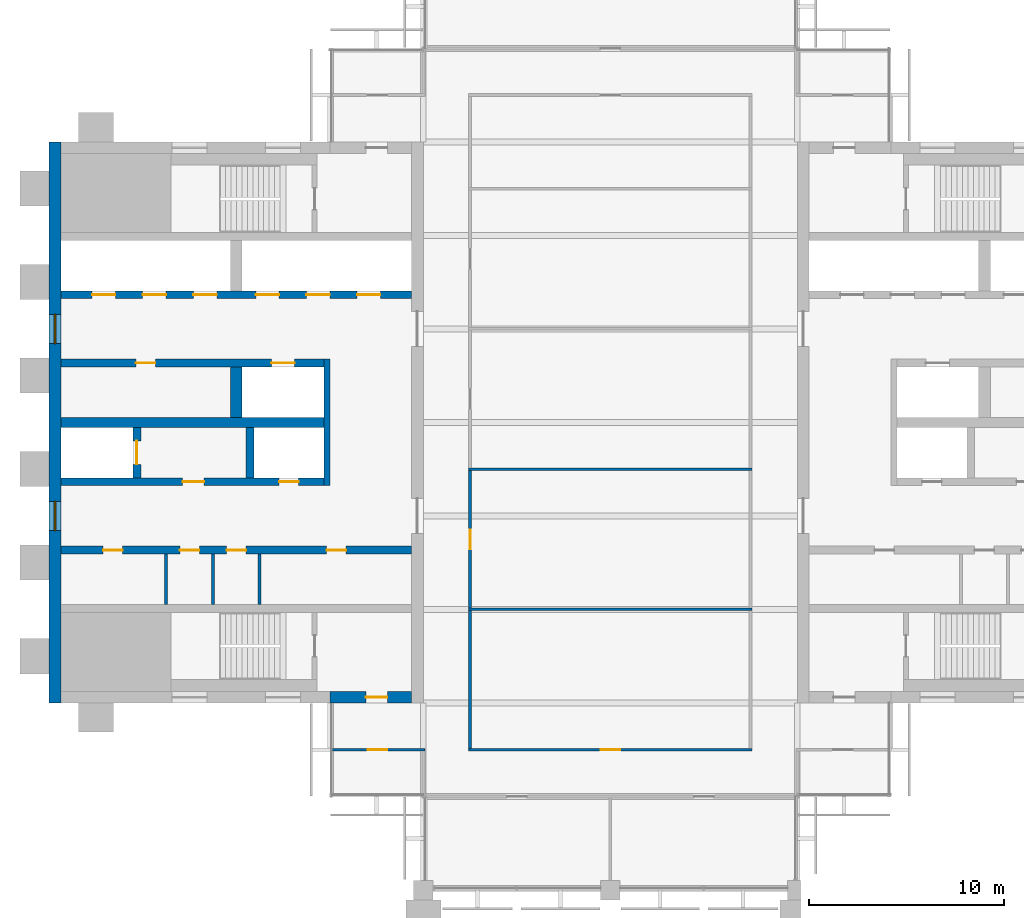
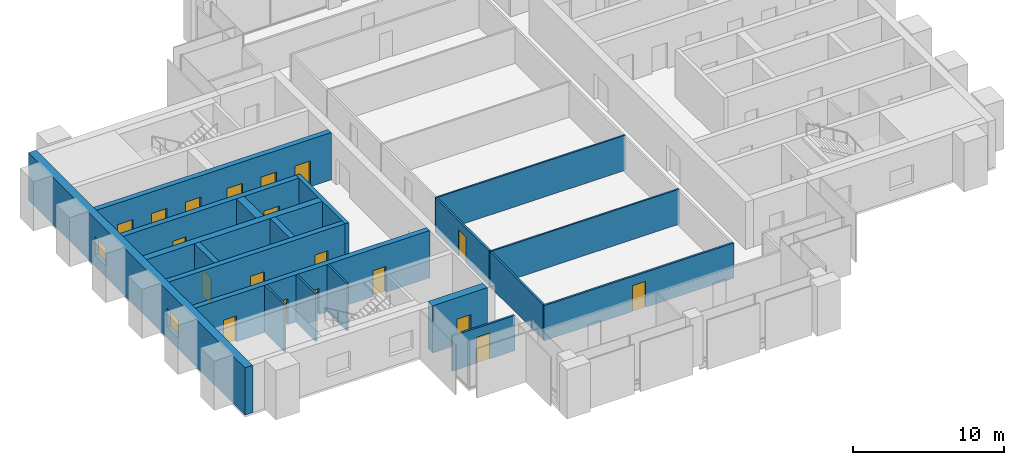
# One storey, part 8 of 12: 20 walls, 19 doors, 2 windows, 21 openings.
"""IFC4 building model written with IfcOpenShell, lengths in metres."""

import ifcopenshell
import ifcopenshell.guid

model = None  # the IFC model being written
_history = None  # IfcOwnerHistory: only IFC2X3 demands one
_inside = {}  # id of a spatial element -> (the spatial element, [elements in it])
_under = {}  # id of a project, library or spatial element -> (it, [spatial elements below it])
_declared = {}  # id of a project -> (the project, [libraries it declares])
_typed = {}  # id of a type object -> (the type object, [elements of that type])
_made_of = {}  # id of a material, layer set ... -> (it, [elements and type objects made of it])


def new_model(schema):
    """Start an empty IFC model of exactly this schema.

    Asked for "IFC4X3", IfcOpenShell would pick the latest addendum, in which some entities
    have other attributes; the version numbers below select the first issue.
    IFC2X3 requires an IfcOwnerHistory on every rooted entity: one is made here for all.
    """
    global model, _history
    if schema == "IFC4X3":
        model = ifcopenshell.file(schema_version=(4, 3, 0, 0))
    else:
        model = ifcopenshell.file(schema=schema)
    _inside.clear()
    _under.clear()
    _declared.clear()
    _typed.clear()
    _made_of.clear()
    _history = None
    if model.schema == "IFC2X3":
        org = make("IfcOrganization", Name="unknown")
        user = make(
            "IfcPersonAndOrganization",
            ThePerson=make("IfcPerson", FamilyName="unknown"),
            TheOrganization=org,
        )
        app = make(
            "IfcApplication",
            ApplicationDeveloper=org,
            Version="unknown",
            ApplicationFullName="unknown",
            ApplicationIdentifier="unknown",
        )
        _history = make(
            "IfcOwnerHistory",
            OwningUser=user,
            OwningApplication=app,
            ChangeAction="ADDED",
            CreationDate=0,
        )
    return model


def make(cls, **values):
    """One entity of the class cls with the attributes given. An attribute that is None is left unset."""
    return model.create_entity(
        cls, **{name: value for name, value in values.items() if value is not None}
    )


def rooted(cls, **values):
    """An entity with a GlobalId (a new one), such as an element, a storey or a relation."""
    return make(cls, GlobalId=ifcopenshell.guid.new(), OwnerHistory=_history, **values)


def si_unit(unit_type, name, prefix=None):
    """IfcSIUnit, for example si_unit("LENGTHUNIT", "METRE", prefix="MILLI")."""
    return make("IfcSIUnit", UnitType=unit_type, Prefix=prefix, Name=name)


def assignment(units):
    """IfcUnitAssignment: the units of a project."""
    return None if units is None else make("IfcUnitAssignment", Units=units)


def point(xyz):
    """IfcCartesianPoint."""
    return None if xyz is None else make("IfcCartesianPoint", Coordinates=xyz)


def direction(xyz):
    """IfcDirection."""
    return None if xyz is None else make("IfcDirection", DirectionRatios=xyz)


def frame(location, z_axis=None, x_axis=None):
    """IfcAxis2Placement3D, a coordinate frame: its origin and axes. An axis left out is left unset."""
    return make(
        "IfcAxis2Placement3D",
        Location=point(location),
        Axis=direction(z_axis),
        RefDirection=direction(x_axis),
    )


def frame_2d(location, x_axis=None):
    """IfcAxis2Placement2D, a coordinate frame in the plane: its origin and x axis."""
    return make(
        "IfcAxis2Placement2D", Location=point(location), RefDirection=direction(x_axis)
    )


def origin():
    """The frame at (0, 0, 0) with its axes left unset."""
    return frame((0.0, 0.0, 0.0))


def place(relative_to, where):
    """IfcLocalPlacement: puts the frame where relative to a parent placement (None: the world)."""
    return make(
        "IfcLocalPlacement", PlacementRelTo=relative_to, RelativePlacement=where
    )


def context(
    kind, dimensions, precision=None, world=None, true_north=None, identifier=None
):
    """IfcGeometricRepresentationContext, for example the 3D "Model" context."""
    return make(
        "IfcGeometricRepresentationContext",
        ContextIdentifier=identifier,
        ContextType=kind,
        CoordinateSpaceDimension=dimensions,
        Precision=precision,
        WorldCoordinateSystem=world,
        TrueNorth=true_north,
    )


def subcontext(parent, identifier, kind, view, scale=None):
    """IfcGeometricRepresentationSubContext, for example "Body" below "Model"."""
    return make(
        "IfcGeometricRepresentationSubContext",
        ContextIdentifier=identifier,
        ContextType=kind,
        ParentContext=parent,
        TargetScale=scale,
        TargetView=view,
    )


def project(units=None, contexts=None):
    """IfcProject with its units and contexts."""
    return rooted(
        "IfcProject",
        Name="project",
        RepresentationContexts=contexts,
        UnitsInContext=assignment(units),
    )


def spatial(cls, under=None, at=None, **own):
    """A site, building, storey or space (cls), placed at a placement, below another one or the project."""
    s = rooted(cls, ObjectPlacement=at, **own)
    if under is not None:
        _under.setdefault(under.id(), (under, []))[1].append(s)
    return s


def profile(cls, at=None, kind="AREA", **sizes):
    """A parametric profile (cls). Its sizes go by their IFC names, for example OverallWidth=200.0."""
    return make(cls, ProfileType=kind, Position=at, **sizes)


def rectangle(**sizes):
    """IfcRectangleProfileDef."""
    return profile("IfcRectangleProfileDef", **sizes)


def extrude(swept, where, along, depth):
    """IfcExtrudedAreaSolid: the profile swept, set in the frame where, extruded along a direction by depth."""
    return make(
        "IfcExtrudedAreaSolid",
        SweptArea=swept,
        Position=where,
        ExtrudedDirection=direction(along),
        Depth=depth,
    )


def shape(context_of_items, identifier, shape_type, items):
    """IfcShapeRepresentation: the items that make up one representation, for example the "Body"."""
    return make(
        "IfcShapeRepresentation",
        ContextOfItems=context_of_items,
        RepresentationIdentifier=identifier,
        RepresentationType=shape_type,
        Items=items,
    )


def material(Name=None, Category=None):
    """IfcMaterial."""
    return make("IfcMaterial", Name=Name, Category=Category)


def layer(
    of_material, thickness, ventilated=None, Name=None, Category=None, Priority=None
):
    """IfcMaterialLayer: one layer of a wall or slab, of a material (None: an air gap)."""
    return make(
        "IfcMaterialLayer",
        Material=of_material,
        LayerThickness=thickness,
        IsVentilated=ventilated,
        Name=Name,
        Category=Category,
        Priority=Priority,
    )


def layer_set(layers, Name=None):
    """IfcMaterialLayerSet."""
    return make("IfcMaterialLayerSet", MaterialLayers=layers, LayerSetName=Name)


def made_of(thing, what):
    """Note that an element or type object is made of a material, layer set ...; save() writes the relation."""
    if what is not None:
        _made_of.setdefault(what.id(), (what, []))[1].append(thing)
    return thing


def type_object(cls, material=None, **own):
    """A type object (cls), such as IfcWallType, which elements share."""
    return made_of(rooted(cls, **own), material)


def element(
    cls,
    number,
    at=None,
    inside=None,
    cuts=None,
    type_object=None,
    material=None,
    context=None,
    identifier="Body",
    shape_type=None,
    held_by="IfcProductDefinitionShape",
    body=None,
    shapes=None,
    **own,
):
    """One element of the class cls, such as IfcWall. Its Tag is "e" and its number.

    at: its placement. inside: the storey or other place that contains it. cuts: it is an
    opening in that element (IfcRelVoidsElement). A single representation is given by context,
    identifier, shape_type and body (its items); several are given by shapes. held_by: the class
    of the entity that holds the representations. save() writes the other relations.
    """
    e = rooted(cls, Tag="e%d" % number, ObjectPlacement=at, **own)
    if body is not None:
        shapes = [shape(context, identifier, shape_type, body)]
    if shapes is not None:
        e.Representation = make(held_by, Representations=shapes)
    if inside is not None:
        _inside.setdefault(inside.id(), (inside, []))[1].append(e)
    if cuts is not None:
        rooted(
            "IfcRelVoidsElement", RelatingBuildingElement=cuts, RelatedOpeningElement=e
        )
    if type_object is not None:
        _typed.setdefault(type_object.id(), (type_object, []))[1].append(e)
    return made_of(e, material)


def fill(opening, filler):
    """IfcRelFillsElement: the door or window that sits in an opening."""
    return rooted(
        "IfcRelFillsElement",
        RelatingOpeningElement=opening,
        RelatedBuildingElement=filler,
    )


def aggregate(whole, parts):
    """IfcRelAggregates: a whole, such as a stair, and the parts it consists of."""
    return rooted("IfcRelAggregates", RelatingObject=whole, RelatedObjects=parts)


def save(model, path):
    """Write the relations noted so far, then the file.

    IfcRelAggregates (storeys below a building ...), IfcRelContainedInSpatialStructure (elements
    in a storey), IfcRelDefinesByType, IfcRelAssociatesMaterial and IfcRelDeclares: one each for
    every whole, place, type object, material and project.
    """
    for whole, parts in _under.values():
        aggregate(whole, parts)
    for where, things in _inside.values():
        rooted(
            "IfcRelContainedInSpatialStructure",
            RelatedElements=things,
            RelatingStructure=where,
        )
    for kind, things in _typed.values():
        rooted("IfcRelDefinesByType", RelatedObjects=things, RelatingType=kind)
    for what, things in _made_of.values():
        rooted("IfcRelAssociatesMaterial", RelatedObjects=things, RelatingMaterial=what)
    for by, libraries in _declared.values():
        rooted("IfcRelDeclares", RelatingContext=by, RelatedDefinitions=libraries)
    model.write(path)


model = new_model("IFC4")

# Units and contexts
model_context = context("Model", 3, precision=1e-05, world=origin(), true_north=direction((0.0, 1.0)))
body_context = subcontext(model_context, "Body", "Model", "MODEL_VIEW")
ifc_project = project(units=[si_unit("LENGTHUNIT", "METRE"), si_unit("AREAUNIT", "SQUARE_METRE"), si_unit("VOLUMEUNIT", "CUBIC_METRE"), si_unit("PLANEANGLEUNIT", "RADIAN"), si_unit("MASSUNIT", "GRAM", prefix="KILO")], contexts=[model_context])

# Site, building, storey
site_placement = place(None, origin())
site = spatial("IfcSite", under=ifc_project, at=site_placement, CompositionType="ELEMENT")
building_placement = place(site_placement, origin())
building = spatial("IfcBuilding", under=site, at=building_placement, Name="Baori Bourse Tower", CompositionType="ELEMENT")
storey_placement = place(building_placement, frame((0.0, 0.0, 322.300048828125)))
storey = spatial("IfcBuildingStorey", under=building, at=storey_placement, Name="L71", CompositionType="ELEMENT", Elevation=322.300048828125)

# Walls
ifc_material_1 = material(Name="Blockwork partition", Category="masonry")
ifc_layer_1 = layer(ifc_material_1, 0.14990234375)
ifc_layer_set_1 = layer_set([ifc_layer_1], Name="Core partition 150")
wall_type_1 = type_object("IfcWallType", Name="Core partition 150", PredefinedType="PARTITIONING", material=ifc_layer_set_1)
for number, where, z_axis, x_axis, name in (
    (1, (6.0, 14.64990234375, 0.0), (0.0, 0.0, 1.0), (0.0, 1.0, 0.0), "Partition wall W09"),
    (2, (8.39990234375, 14.64990234375, 0.0), (0.0, 0.0, 1.0), (0.0, 1.0, 0.0), "Partition wall W10"),
    (3, (10.800048828125, 14.64990234375, 0.0), (0.0, 0.0, 1.0), (0.0, 1.0, 0.0), "Partition wall W11"),
):
    element("IfcWall", number, at=place(storey_placement, frame(where, z_axis=z_axis, x_axis=x_axis)), inside=storey, type_object=wall_type_1, Name=name, PredefinedType="PARTITIONING", context=body_context, shape_type="SweptSolid", body=[
        extrude(rectangle(XDim=2.60009765625, YDim=0.14990234375, at=frame_2d((1.300048828125, 0.0))), origin(), (0.0, 0.0, 1.0), 3.83984375),
    ])

# Wall, openings, windows
ifc_material_2 = material(Name="Concrete f'c 40 MPa", Category="concrete")
ifc_layer_2 = layer(ifc_material_2, 0.60009765625)
ifc_layer_set_2 = layer_set([ifc_layer_2], Name="Core wall 600 f'c 40")
wall_type_2 = type_object("IfcWallType", Name="Core wall 600 f'c 40", PredefinedType="SHEAR", material=ifc_layer_set_2)
wall_1_placement = place(storey_placement, frame((0.300048828125, 9.60009765625, 0.0), z_axis=(0.0, 0.0, 1.0), x_axis=(0.0, 1.0, 0.0)))
wall_1 = element("IfcWall", 4, at=wall_1_placement, inside=storey, type_object=wall_type_2, Name="Core wall W01", PredefinedType="SHEAR", context=body_context, shape_type="SweptSolid", body=[
    extrude(rectangle(XDim=28.7998046875, YDim=0.60009765625, at=frame_2d((14.39990234375, 0.0))), origin(), (0.0, 0.0, 1.0), 3.83984375),
])
opening_1_placement = place(wall_1_placement, frame((8.85009765625, 0.0, 0.89990234375)))
opening_1 = element("IfcOpeningElement", 5, at=opening_1_placement, cuts=wall_1, Name="Opening L71-KW101", PredefinedType="OPENING", context=body_context, shape_type="SweptSolid", body=[
    extrude(rectangle(XDim=1.5, YDim=1.5, at=frame_2d((0.75, 0.75))), frame((0.0, 0.31005859375, 0.0), z_axis=(0.0, -1.0, 0.0), x_axis=(1.0, 0.0, 0.0)), (0.0, 0.0, 1.0), 0.6201171875),
])
opening_2_placement = place(wall_1_placement, frame((18.449951171875, 0.0, 0.89990234375)))
opening_2 = element("IfcOpeningElement", 6, at=opening_2_placement, cuts=wall_1, Name="Opening L71-KW102", PredefinedType="OPENING", context=body_context, shape_type="SweptSolid", body=[
    extrude(rectangle(XDim=1.5, YDim=1.5, at=frame_2d((0.75, 0.75))), frame((0.0, 0.31005859375, 0.0), z_axis=(0.0, -1.0, 0.0), x_axis=(1.0, 0.0, 0.0)), (0.0, 0.0, 1.0), 0.6201171875),
])
ifc_material_3 = material(Name="Pale anodised aluminium", Category="aluminium")
window_type = type_object("IfcWindowType", Name="Lobby window 1500 x 1500", PartitioningType="SINGLE_PANEL", PredefinedType="WINDOW", material=ifc_material_3)
window_1_placement = place(opening_1_placement, origin())
window_1 = element("IfcWindow", 7, at=window_1_placement, inside=storey, type_object=window_type, Name="Outer wall window W L71 1", OverallHeight=1.5, OverallWidth=1.5, PartitioningType="SINGLE_PANEL", PredefinedType="WINDOW", context=body_context, shape_type="SweptSolid", body=[
    extrude(rectangle(XDim=1.5, YDim=1.5, at=frame_2d((0.75, 0.75))), frame((0.0, 0.030029296875, 0.0), z_axis=(0.0, -1.0, 0.0), x_axis=(1.0, 0.0, 0.0)), (0.0, 0.0, 1.0), 0.06005859375),
])
fill(opening_1, window_1)
window_2_placement = place(opening_2_placement, origin())
window_2 = element("IfcWindow", 8, at=window_2_placement, inside=storey, type_object=window_type, Name="Outer wall window W L71 2", OverallHeight=1.5, OverallWidth=1.5, PartitioningType="SINGLE_PANEL", PredefinedType="WINDOW", context=body_context, shape_type="SweptSolid", body=[
    extrude(rectangle(XDim=1.5, YDim=1.5, at=frame_2d((0.75, 0.75))), frame((0.0, 0.030029296875, 0.0), z_axis=(0.0, -1.0, 0.0), x_axis=(1.0, 0.0, 0.0)), (0.0, 0.0, 1.0), 0.06005859375),
])
fill(opening_2, window_2)

# Wall, opening, door
wall_2_placement = place(storey_placement, frame((18.60009765625, 9.89990234375, 0.0), z_axis=(0.0, 0.0, 1.0), x_axis=(-1.0, 0.0, 0.0)))
wall_2 = element("IfcWall", 9, at=wall_2_placement, inside=storey, type_object=wall_type_2, Name="Core wall W03", PredefinedType="SHEAR", context=body_context, shape_type="SweptSolid", body=[
    extrude(rectangle(XDim=4.2001953125, YDim=0.60009765625, at=frame_2d((2.10009765625, 0.0))), origin(), (0.0, 0.0, 1.0), 3.83984375),
])
opening_3_placement = place(wall_2_placement, frame((1.25, 0.0, 0.0)))
opening_3 = element("IfcOpeningElement", 10, at=opening_3_placement, cuts=wall_2, Name="Opening L71-D102", PredefinedType="OPENING", context=body_context, shape_type="SweptSolid", body=[
    extrude(rectangle(XDim=1.10009765625, YDim=2.10009765625, at=frame_2d((0.550048828125, 1.050048828125))), frame((0.0, 0.31005859375, 0.0), z_axis=(0.0, -1.0, 0.0), x_axis=(1.0, 0.0, 0.0)), (0.0, 0.0, 1.0), 0.6201171875),
])
ifc_material_4 = material(Name="Painted steel door", Category="steel")
door_type_1 = type_object("IfcDoorType", Name="Stair door 1100", OperationType="SINGLE_SWING_LEFT", PredefinedType="DOOR", material=ifc_material_4)
door_1_placement = place(opening_3_placement, origin())
door_1 = element("IfcDoor", 11, at=door_1_placement, inside=storey, type_object=door_type_1, Name="Stair vestibule door A W L71", OperationType="SINGLE_SWING_LEFT", OverallHeight=2.10009765625, OverallWidth=1.10009765625, PredefinedType="DOOR", context=body_context, shape_type="SweptSolid", body=[
    extrude(rectangle(XDim=1.10009765625, YDim=2.10009765625, at=frame_2d((0.550048828125, 1.050048828125))), frame((0.0, 0.02490234375, 0.0), z_axis=(0.0, -1.0, 0.0), x_axis=(1.0, 0.0, 0.0)), (0.0, 0.0, 1.0), 0.050048828125),
])
fill(opening_3, door_1)

ifc_material_5 = material(Name="Gypsum board partition")
ifc_layer_3 = layer(ifc_material_5, 0.14990234375)
ifc_layer_set_3 = layer_set([ifc_layer_3], Name="Corridor partition 150")
wall_type_3 = type_object("IfcWallType", Name="Corridor partition 150", PredefinedType="PARTITIONING", material=ifc_layer_set_3)
wall_3_placement = place(storey_placement, frame((14.5, 7.199951171875, 0.0), z_axis=(0.0, 0.0, 1.0), x_axis=(1.0, 0.0, 0.0)))
wall_3 = element("IfcWall", 12, at=wall_3_placement, inside=storey, type_object=wall_type_3, Name="Partition", PredefinedType="PARTITIONING", context=body_context, shape_type="SweptSolid", body=[
    extrude(rectangle(XDim=4.77490234375, YDim=0.14990234375, at=frame_2d((2.387451171875, 0.0))), origin(), (0.0, 0.0, 1.0), 2.849365234375),
])
opening_4_placement = place(wall_3_placement, frame((1.85009765625, 0.0, 0.0)))
opening_4 = element("IfcOpeningElement", 13, at=opening_4_placement, cuts=wall_3, Name="Opening L71-D03", PredefinedType="OPENING", context=body_context, shape_type="SweptSolid", body=[
    extrude(rectangle(XDim=1.0, YDim=2.10009765625, at=frame_2d((0.5, 1.050048828125))), frame((0.0, 0.0849609375, 0.0), z_axis=(0.0, -1.0, 0.0), x_axis=(1.0, 0.0, 0.0)), (0.0, 0.0, 1.0), 0.169921875),
])
ifc_material_6 = material(Name="Timber door leaf", Category="wood")
door_type_2 = type_object("IfcDoorType", Name="Door 1000 x 2100", OperationType="SINGLE_SWING_LEFT", PredefinedType="DOOR", material=ifc_material_6)
door_2_placement = place(opening_4_placement, origin())
door_2 = element("IfcDoor", 14, at=door_2_placement, inside=storey, type_object=door_type_2, Name="Door", OperationType="SINGLE_SWING_LEFT", OverallHeight=2.10009765625, OverallWidth=1.0, PredefinedType="DOOR", context=body_context, shape_type="SweptSolid", body=[
    extrude(rectangle(XDim=1.0, YDim=2.10009765625, at=frame_2d((0.5, 1.050048828125))), frame((0.0, 0.02490234375, 0.0), z_axis=(0.0, -1.0, 0.0), x_axis=(1.0, 0.0, 0.0)), (0.0, 0.0, 1.0), 0.050048828125),
])
fill(opening_4, door_2)

wall_4_placement = place(storey_placement, frame((21.52490234375, 7.199951171875, 0.0), z_axis=(0.0, 0.0, 1.0), x_axis=(1.0, 0.0, 0.0)))
wall_4 = element("IfcWall", 15, at=wall_4_placement, inside=storey, type_object=wall_type_3, Name="Partition", PredefinedType="PARTITIONING", context=body_context, shape_type="SweptSolid", body=[
    extrude(rectangle(XDim=14.550048828125, YDim=0.14990234375, at=frame_2d((7.27490234375, 0.0))), origin(), (0.0, 0.0, 1.0), 2.849365234375),
])
opening_5_placement = place(wall_4_placement, frame((6.77490234375, 0.0, 0.0)))
opening_5 = element("IfcOpeningElement", 16, at=opening_5_placement, cuts=wall_4, Name="Opening L71-D04", PredefinedType="OPENING", context=body_context, shape_type="SweptSolid", body=[
    extrude(rectangle(XDim=1.0, YDim=2.10009765625, at=frame_2d((0.5, 1.050048828125))), frame((0.0, 0.0849609375, 0.0), z_axis=(0.0, -1.0, 0.0), x_axis=(1.0, 0.0, 0.0)), (0.0, 0.0, 1.0), 0.169921875),
])
door_3_placement = place(opening_5_placement, origin())
door_3 = element("IfcDoor", 17, at=door_3_placement, inside=storey, type_object=door_type_2, Name="Door", OperationType="SINGLE_SWING_RIGHT", OverallHeight=2.10009765625, OverallWidth=1.0, PredefinedType="DOOR", context=body_context, shape_type="SweptSolid", body=[
    extrude(rectangle(XDim=1.0, YDim=2.10009765625, at=frame_2d((0.5, 1.050048828125))), frame((0.0, 0.02490234375, 0.0), z_axis=(0.0, -1.0, 0.0), x_axis=(1.0, 0.0, 0.0)), (0.0, 0.0, 1.0), 0.050048828125),
])
fill(opening_5, door_3)

# Wall
wall_5_placement = place(storey_placement, frame((21.60009765625, 7.27490234375, 0.0), z_axis=(0.0, 0.0, 1.0), x_axis=(0.0, 1.0, 0.0)))
element("IfcWall", 18, at=wall_5_placement, inside=storey, type_object=wall_type_3, Name="Partition", PredefinedType="PARTITIONING", context=body_context, shape_type="SweptSolid", body=[
    extrude(rectangle(XDim=7.0625, YDim=0.14990234375, at=frame_2d((3.53125, 0.0))), origin(), (0.0, 0.0, 1.0), 2.849365234375),
])

# Wall, opening, door
wall_6_placement = place(storey_placement, frame((21.60009765625, 14.46240234375, 0.0), z_axis=(0.0, 0.0, 1.0), x_axis=(0.0, 1.0, 0.0)))
wall_6 = element("IfcWall", 19, at=wall_6_placement, inside=storey, type_object=wall_type_3, Name="Partition", PredefinedType="PARTITIONING", context=body_context, shape_type="SweptSolid", body=[
    extrude(rectangle(XDim=7.0751953125, YDim=0.14990234375, at=frame_2d((3.53759765625, 0.0))), origin(), (0.0, 0.0, 1.0), 2.849365234375),
])
opening_6_placement = place(wall_6_placement, frame((3.03759765625, 0.0, 0.0)))
opening_6 = element("IfcOpeningElement", 20, at=opening_6_placement, cuts=wall_6, Name="Opening L71-D10", PredefinedType="OPENING", context=body_context, shape_type="SweptSolid", body=[
    extrude(rectangle(XDim=1.0, YDim=2.10009765625, at=frame_2d((0.5, 1.050048828125))), frame((0.0, 0.0849609375, 0.0), z_axis=(0.0, -1.0, 0.0), x_axis=(1.0, 0.0, 0.0)), (0.0, 0.0, 1.0), 0.169921875),
])
door_4_placement = place(opening_6_placement, origin())
door_4 = element("IfcDoor", 21, at=door_4_placement, inside=storey, type_object=door_type_2, Name="Door", OperationType="SINGLE_SWING_LEFT", OverallHeight=2.10009765625, OverallWidth=1.0, PredefinedType="DOOR", context=body_context, shape_type="SweptSolid", body=[
    extrude(rectangle(XDim=1.0, YDim=2.10009765625, at=frame_2d((0.5, 1.050048828125))), frame((0.0, 0.02490234375, 0.0), z_axis=(0.0, -1.0, 0.0), x_axis=(1.0, 0.0, 0.0)), (0.0, 0.0, 1.0), 0.050048828125),
])
fill(opening_6, door_4)

# Walls
ifc_material_7 = material(Name="Gypsum board partition")
ifc_layer_4 = layer(ifc_material_7, 0.125)
ifc_layer_set_4 = layer_set([ifc_layer_4], Name="Partition 125")
wall_type_4 = type_object("IfcWallType", Name="Partition 125", PredefinedType="PARTITIONING", material=ifc_layer_set_4)
for number, where, z_axis, x_axis, name in (
    (22, (21.52490234375, 14.39990234375, 0.0), (0.0, 0.0, 1.0), (1.0, 0.0, 0.0), "Partition"),
    (23, (21.52490234375, 21.60009765625, 0.0), (0.0, 0.0, 1.0), (1.0, 0.0, 0.0), "Partition"),
):
    element("IfcWall", number, at=place(storey_placement, frame(where, z_axis=z_axis, x_axis=x_axis)), inside=storey, type_object=wall_type_4, Name=name, PredefinedType="PARTITIONING", context=body_context, shape_type="SweptSolid", body=[
        extrude(rectangle(XDim=14.550048828125, YDim=0.125, at=frame_2d((7.27490234375, 0.0))), origin(), (0.0, 0.0, 1.0), 2.849365234375),
    ])
ifc_material_8 = material(Name="Concrete f'c 40 MPa", Category="concrete")
ifc_layer_5 = layer(ifc_material_8, 0.300048828125)
ifc_layer_set_5 = layer_set([ifc_layer_5], Name="Shaft wall 300 f'c 40")
wall_type_5 = type_object("IfcWallType", Name="Shaft wall 300 f'c 40", PredefinedType="SHEAR", material=ifc_layer_set_5)
wall_7_placement = place(storey_placement, frame((14.25, 20.75, 0.0), z_axis=(0.0, 0.0, 1.0), x_axis=(0.0, 1.0, 0.0)))
element("IfcWall", 24, at=wall_7_placement, inside=storey, type_object=wall_type_5, Name="Core wall W14", PredefinedType="SHEAR", context=body_context, shape_type="SweptSolid", body=[
    extrude(rectangle(XDim=6.5, YDim=0.300048828125, at=frame_2d((3.25, 0.0))), origin(), (0.0, 0.0, 1.0), 3.83984375),
])

# Wall, openings, doors
ifc_material_9 = material(Name="Concrete f'c 40 MPa", Category="concrete")
ifc_layer_6 = layer(ifc_material_9, 0.39990234375)
ifc_layer_set_6 = layer_set([ifc_layer_6], Name="Shaft wall 400 f'c 40")
wall_type_6 = type_object("IfcWallType", Name="Shaft wall 400 f'c 40", PredefinedType="SHEAR", material=ifc_layer_set_6)
wall_8_placement = place(storey_placement, frame((0.60009765625, 17.449951171875, 0.0), z_axis=(0.0, 0.0, 1.0), x_axis=(1.0, 0.0, 0.0)))
wall_8 = element("IfcWall", 25, at=wall_8_placement, inside=storey, type_object=wall_type_6, Name="Core wall W12", PredefinedType="SHEAR", context=body_context, shape_type="SweptSolid", body=[
    extrude(rectangle(XDim=18.0, YDim=0.39990234375, at=frame_2d((9.0, 0.0))), origin(), (0.0, 0.0, 1.0), 3.83984375),
])
opening_7_placement = place(wall_8_placement, frame((2.16259765625, 0.0, 0.0)))
opening_7 = element("IfcOpeningElement", 26, at=opening_7_placement, cuts=wall_8, Name="Opening L71-D109", PredefinedType="OPENING", context=body_context, shape_type="SweptSolid", body=[
    extrude(rectangle(XDim=1.0, YDim=2.10009765625, at=frame_2d((0.5, 1.050048828125))), frame((0.0, 0.2099609375, 0.0), z_axis=(0.0, -1.0, 0.0), x_axis=(1.0, 0.0, 0.0)), (0.0, 0.0, 1.0), 0.419921875),
])
opening_8_placement = place(wall_8_placement, frame((6.10009765625, 0.0, 0.0)))
opening_8 = element("IfcOpeningElement", 27, at=opening_8_placement, cuts=wall_8, Name="Opening L71-D110", PredefinedType="OPENING", context=body_context, shape_type="SweptSolid", body=[
    extrude(rectangle(XDim=1.0, YDim=2.10009765625, at=frame_2d((0.5, 1.050048828125))), frame((0.0, 0.2099609375, 0.0), z_axis=(0.0, -1.0, 0.0), x_axis=(1.0, 0.0, 0.0)), (0.0, 0.0, 1.0), 0.419921875),
])
opening_9_placement = place(wall_8_placement, frame((8.5, 0.0, 0.0)))
opening_9 = element("IfcOpeningElement", 28, at=opening_9_placement, cuts=wall_8, Name="Opening L71-D111", PredefinedType="OPENING", context=body_context, shape_type="SweptSolid", body=[
    extrude(rectangle(XDim=1.0, YDim=2.10009765625, at=frame_2d((0.5, 1.050048828125))), frame((0.0, 0.2099609375, 0.0), z_axis=(0.0, -1.0, 0.0), x_axis=(1.0, 0.0, 0.0)), (0.0, 0.0, 1.0), 0.419921875),
])
opening_10_placement = place(wall_8_placement, frame((13.637451171875, 0.0, 0.0)))
opening_10 = element("IfcOpeningElement", 29, at=opening_10_placement, cuts=wall_8, Name="Opening L71-D112", PredefinedType="OPENING", context=body_context, shape_type="SweptSolid", body=[
    extrude(rectangle(XDim=1.0, YDim=2.10009765625, at=frame_2d((0.5, 1.050048828125))), frame((0.0, 0.2099609375, 0.0), z_axis=(0.0, -1.0, 0.0), x_axis=(1.0, 0.0, 0.0)), (0.0, 0.0, 1.0), 0.419921875),
])
ifc_material_10 = material(Name="Painted steel door", Category="steel")
door_type_3 = type_object("IfcDoorType", Name="Core door 1000", OperationType="SINGLE_SWING_LEFT", PredefinedType="DOOR", material=ifc_material_10)
door_5_placement = place(opening_7_placement, origin())
door_5 = element("IfcDoor", 30, at=door_5_placement, inside=storey, type_object=door_type_3, Name="Women'S Wc door W L71", OperationType="SINGLE_SWING_LEFT", OverallHeight=2.10009765625, OverallWidth=1.0, PredefinedType="DOOR", context=body_context, shape_type="SweptSolid", body=[
    extrude(rectangle(XDim=1.0, YDim=2.10009765625, at=frame_2d((0.5, 1.050048828125))), frame((0.0, 0.02490234375, 0.0), z_axis=(0.0, -1.0, 0.0), x_axis=(1.0, 0.0, 0.0)), (0.0, 0.0, 1.0), 0.050048828125),
])
fill(opening_7, door_5)
door_6_placement = place(opening_8_placement, origin())
door_6 = element("IfcDoor", 31, at=door_6_placement, inside=storey, type_object=door_type_3, Name="Accessible Wc door W L71", OperationType="SINGLE_SWING_LEFT", OverallHeight=2.10009765625, OverallWidth=1.0, PredefinedType="DOOR", context=body_context, shape_type="SweptSolid", body=[
    extrude(rectangle(XDim=1.0, YDim=2.10009765625, at=frame_2d((0.5, 1.050048828125))), frame((0.0, 0.02490234375, 0.0), z_axis=(0.0, -1.0, 0.0), x_axis=(1.0, 0.0, 0.0)), (0.0, 0.0, 1.0), 0.050048828125),
])
fill(opening_8, door_6)
door_7_placement = place(opening_10_placement, origin())
door_7 = element("IfcDoor", 32, at=door_7_placement, inside=storey, type_object=door_type_3, Name="Men'S Wc door W L71", OperationType="SINGLE_SWING_LEFT", OverallHeight=2.10009765625, OverallWidth=1.0, PredefinedType="DOOR", context=body_context, shape_type="SweptSolid", body=[
    extrude(rectangle(XDim=1.0, YDim=2.10009765625, at=frame_2d((0.5, 1.050048828125))), frame((0.0, 0.02490234375, 0.0), z_axis=(0.0, -1.0, 0.0), x_axis=(1.0, 0.0, 0.0)), (0.0, 0.0, 1.0), 0.050048828125),
])
fill(opening_10, door_7)
ifc_material_11 = material(Name="Painted steel door", Category="steel")
door_type_4 = type_object("IfcDoorType", Name="Plant room door 1000", OperationType="SINGLE_SWING_LEFT", PredefinedType="DOOR", material=ifc_material_11)
door_8_placement = place(opening_9_placement, origin())
door_8 = element("IfcDoor", 33, at=door_8_placement, inside=storey, type_object=door_type_4, Name="Plumbing Equipment Room door W L71", OperationType="SINGLE_SWING_LEFT", OverallHeight=2.10009765625, OverallWidth=1.0, PredefinedType="DOOR", context=body_context, shape_type="SweptSolid", body=[
    extrude(rectangle(XDim=1.0, YDim=2.10009765625, at=frame_2d((0.5, 1.050048828125))), frame((0.0, 0.02490234375, 0.0), z_axis=(0.0, -1.0, 0.0), x_axis=(1.0, 0.0, 0.0)), (0.0, 0.0, 1.0), 0.050048828125),
])
fill(opening_9, door_8)

wall_9_placement = place(storey_placement, frame((0.60009765625, 20.949951171875, 0.0), z_axis=(0.0, 0.0, 1.0), x_axis=(1.0, 0.0, 0.0)))
wall_9 = element("IfcWall", 34, at=wall_9_placement, inside=storey, type_object=wall_type_6, Name="Core wall W13", PredefinedType="SHEAR", context=body_context, shape_type="SweptSolid", body=[
    extrude(rectangle(XDim=13.5, YDim=0.39990234375, at=frame_2d((6.75, 0.0))), origin(), (0.0, 0.0, 1.0), 3.83984375),
])
opening_11_placement = place(wall_9_placement, frame((6.25, 0.0, 0.0)))
opening_11 = element("IfcOpeningElement", 35, at=opening_11_placement, cuts=wall_9, Name="Opening L71-D105", PredefinedType="OPENING", context=body_context, shape_type="SweptSolid", body=[
    extrude(rectangle(XDim=1.10009765625, YDim=2.10009765625, at=frame_2d((0.550048828125, 1.050048828125))), frame((0.0, 0.2099609375, 0.0), z_axis=(0.0, -1.0, 0.0), x_axis=(1.0, 0.0, 0.0)), (0.0, 0.0, 1.0), 0.419921875),
])
opening_12_placement = place(wall_9_placement, frame((11.199951171875, 0.0, 0.0)))
opening_12 = element("IfcOpeningElement", 36, at=opening_12_placement, cuts=wall_9, Name="Opening L71-D106", PredefinedType="OPENING", context=body_context, shape_type="SweptSolid", body=[
    extrude(rectangle(XDim=1.0, YDim=2.10009765625, at=frame_2d((0.5, 1.050048828125))), frame((0.0, 0.2099609375, 0.0), z_axis=(0.0, -1.0, 0.0), x_axis=(1.0, 0.0, 0.0)), (0.0, 0.0, 1.0), 0.419921875),
])
ifc_material_12 = material(Name="Painted steel door", Category="steel")
door_type_5 = type_object("IfcDoorType", Name="Lobby door 1100", OperationType="SINGLE_SWING_LEFT", PredefinedType="DOOR", material=ifc_material_12)
door_9_placement = place(opening_11_placement, origin())
door_9 = element("IfcDoor", 37, at=door_9_placement, inside=storey, type_object=door_type_5, Name="Firefighting lobby door W L71", OperationType="SINGLE_SWING_LEFT", OverallHeight=2.10009765625, OverallWidth=1.10009765625, PredefinedType="DOOR", context=body_context, shape_type="SweptSolid", body=[
    extrude(rectangle(XDim=1.10009765625, YDim=2.10009765625, at=frame_2d((0.550048828125, 1.050048828125))), frame((0.0, 0.02490234375, 0.0), z_axis=(0.0, -1.0, 0.0), x_axis=(1.0, 0.0, 0.0)), (0.0, 0.0, 1.0), 0.050048828125),
])
fill(opening_11, door_9)
ifc_material_13 = material(Name="Painted steel door", Category="steel")
door_type_6 = type_object("IfcDoorType", Name="Shaft door 1000", OperationType="SINGLE_SWING_LEFT", PredefinedType="DOOR", material=ifc_material_13)
door_10_placement = place(opening_12_placement, origin())
door_10 = element("IfcDoor", 38, at=door_10_placement, inside=storey, type_object=door_type_6, Name="Riser room door W L71", OperationType="SINGLE_SWING_LEFT", OverallHeight=2.10009765625, OverallWidth=1.0, PredefinedType="DOOR", context=body_context, shape_type="SweptSolid", body=[
    extrude(rectangle(XDim=1.0, YDim=2.10009765625, at=frame_2d((0.5, 1.050048828125))), frame((0.0, 0.02490234375, 0.0), z_axis=(0.0, -1.0, 0.0), x_axis=(1.0, 0.0, 0.0)), (0.0, 0.0, 1.0), 0.050048828125),
])
fill(opening_12, door_10)

# Wall, opening, door
wall_10_placement = place(storey_placement, frame((4.5, 21.14990234375, 0.0), z_axis=(0.0, 0.0, 1.0), x_axis=(0.0, 1.0, 0.0)))
wall_10 = element("IfcWall", 39, at=wall_10_placement, inside=storey, type_object=wall_type_6, Name="Core wall W15", PredefinedType="SHEAR", context=body_context, shape_type="SweptSolid", body=[
    extrude(rectangle(XDim=2.60009765625, YDim=0.39990234375, at=frame_2d((1.300048828125, 0.0))), origin(), (0.0, 0.0, 1.0), 3.83984375),
])
opening_13_placement = place(wall_10_placement, frame((0.699951171875, 0.0, 0.0)))
opening_13 = element("IfcOpeningElement", 40, at=opening_13_placement, cuts=wall_10, Name="Opening L71-D121", PredefinedType="OPENING", context=body_context, shape_type="SweptSolid", body=[
    extrude(rectangle(XDim=1.199951171875, YDim=2.10009765625, at=frame_2d((0.60009765625, 1.050048828125))), frame((0.0, 0.2099609375, 0.0), z_axis=(0.0, -1.0, 0.0), x_axis=(1.0, 0.0, 0.0)), (0.0, 0.0, 1.0), 0.419921875),
])
ifc_material_14 = material(Name="Stainless steel door", Category="steel")
door_type_7 = type_object("IfcDoorType", Name="Lift landing door", OperationType="DOUBLE_DOOR_SLIDING", PredefinedType="DOOR", material=ifc_material_14)
door_11_placement = place(opening_13_placement, origin())
door_11 = element("IfcDoor", 41, at=door_11_placement, inside=storey, type_object=door_type_7, Name="Lift landing door FF1 W L71", OperationType="DOUBLE_DOOR_SLIDING", OverallHeight=2.10009765625, OverallWidth=1.199951171875, PredefinedType="DOOR", context=body_context, shape_type="SweptSolid", body=[
    extrude(rectangle(XDim=1.199951171875, YDim=2.10009765625, at=frame_2d((0.60009765625, 1.050048828125))), frame((0.0, 0.02490234375, 0.0), z_axis=(0.0, -1.0, 0.0), x_axis=(1.0, 0.0, 0.0)), (0.0, 0.0, 1.0), 0.050048828125),
])
fill(opening_13, door_11)

# Wall
wall_11_placement = place(storey_placement, frame((10.300048828125, 21.14990234375, 0.0), z_axis=(0.0, 0.0, 1.0), x_axis=(0.0, 1.0, 0.0)))
element("IfcWall", 42, at=wall_11_placement, inside=storey, type_object=wall_type_6, Name="Core wall W16", PredefinedType="SHEAR", context=body_context, shape_type="SweptSolid", body=[
    extrude(rectangle(XDim=2.60009765625, YDim=0.39990234375, at=frame_2d((1.300048828125, 0.0))), origin(), (0.0, 0.0, 1.0), 3.83984375),
])

# Wall, openings, doors
wall_12_placement = place(storey_placement, frame((0.60009765625, 27.050048828125, 0.0), z_axis=(0.0, 0.0, 1.0), x_axis=(1.0, 0.0, 0.0)))
wall_12 = element("IfcWall", 43, at=wall_12_placement, inside=storey, type_object=wall_type_6, Name="Core wall W19", PredefinedType="SHEAR", context=body_context, shape_type="SweptSolid", body=[
    extrude(rectangle(XDim=13.5, YDim=0.39990234375, at=frame_2d((6.75, 0.0))), origin(), (0.0, 0.0, 1.0), 3.83984375),
])
opening_14_placement = place(wall_12_placement, frame((3.85009765625, 0.0, 0.0)))
opening_14 = element("IfcOpeningElement", 44, at=opening_14_placement, cuts=wall_12, Name="Opening L71-D113", PredefinedType="OPENING", context=body_context, shape_type="SweptSolid", body=[
    extrude(rectangle(XDim=1.0, YDim=2.10009765625, at=frame_2d((0.5, 1.050048828125))), frame((0.0, 0.2099609375, 0.0), z_axis=(0.0, -1.0, 0.0), x_axis=(1.0, 0.0, 0.0)), (0.0, 0.0, 1.0), 0.419921875),
])
opening_15_placement = place(wall_12_placement, frame((10.800048828125, 0.0, 0.0)))
opening_15 = element("IfcOpeningElement", 45, at=opening_15_placement, cuts=wall_12, Name="Opening L71-D120", PredefinedType="OPENING", context=body_context, shape_type="SweptSolid", body=[
    extrude(rectangle(XDim=1.199951171875, YDim=2.10009765625, at=frame_2d((0.60009765625, 1.050048828125))), frame((0.0, 0.2099609375, 0.0), z_axis=(0.0, -1.0, 0.0), x_axis=(1.0, 0.0, 0.0)), (0.0, 0.0, 1.0), 0.419921875),
])
door_12_placement = place(opening_14_placement, origin())
door_12 = element("IfcDoor", 46, at=door_12_placement, inside=storey, type_object=door_type_3, Name="Store Room door W L71", OperationType="SINGLE_SWING_LEFT", OverallHeight=2.10009765625, OverallWidth=1.0, PredefinedType="DOOR", context=body_context, shape_type="SweptSolid", body=[
    extrude(rectangle(XDim=1.0, YDim=2.10009765625, at=frame_2d((0.5, 1.050048828125))), frame((0.0, 0.02490234375, 0.0), z_axis=(0.0, -1.0, 0.0), x_axis=(1.0, 0.0, 0.0)), (0.0, 0.0, 1.0), 0.050048828125),
])
fill(opening_14, door_12)
door_13_placement = place(opening_15_placement, origin())
door_13 = element("IfcDoor", 47, at=door_13_placement, inside=storey, type_object=door_type_7, Name="Lift landing door SV1 W L71", OperationType="DOUBLE_DOOR_SLIDING", OverallHeight=2.10009765625, OverallWidth=1.199951171875, PredefinedType="DOOR", context=body_context, shape_type="SweptSolid", body=[
    extrude(rectangle(XDim=1.199951171875, YDim=2.10009765625, at=frame_2d((0.60009765625, 1.050048828125))), frame((0.0, 0.02490234375, 0.0), z_axis=(0.0, -1.0, 0.0), x_axis=(1.0, 0.0, 0.0)), (0.0, 0.0, 1.0), 0.050048828125),
])
fill(opening_15, door_13)

wall_13_placement = place(storey_placement, frame((0.60009765625, 30.550048828125, 0.0), z_axis=(0.0, 0.0, 1.0), x_axis=(1.0, 0.0, 0.0)))
wall_13 = element("IfcWall", 48, at=wall_13_placement, inside=storey, type_object=wall_type_6, Name="Core wall W20", PredefinedType="SHEAR", context=body_context, shape_type="SweptSolid", body=[
    extrude(rectangle(XDim=18.0, YDim=0.39990234375, at=frame_2d((9.0, 0.0))), origin(), (0.0, 0.0, 1.0), 3.83984375),
])
opening_16_placement = place(wall_13_placement, frame((1.60009765625, 0.0, 0.0)))
opening_16 = element("IfcOpeningElement", 49, at=opening_16_placement, cuts=wall_13, Name="Opening L71-D114", PredefinedType="OPENING", context=body_context, shape_type="SweptSolid", body=[
    extrude(rectangle(XDim=1.199951171875, YDim=2.10009765625, at=frame_2d((0.60009765625, 1.050048828125))), frame((0.0, 0.2099609375, 0.0), z_axis=(0.0, -1.0, 0.0), x_axis=(1.0, 0.0, 0.0)), (0.0, 0.0, 1.0), 0.419921875),
])
opening_17_placement = place(wall_13_placement, frame((4.199951171875, 0.0, 0.0)))
opening_17 = element("IfcOpeningElement", 50, at=opening_17_placement, cuts=wall_13, Name="Opening L71-D115", PredefinedType="OPENING", context=body_context, shape_type="SweptSolid", body=[
    extrude(rectangle(XDim=1.199951171875, YDim=2.10009765625, at=frame_2d((0.60009765625, 1.050048828125))), frame((0.0, 0.2099609375, 0.0), z_axis=(0.0, -1.0, 0.0), x_axis=(1.0, 0.0, 0.0)), (0.0, 0.0, 1.0), 0.419921875),
])
opening_18_placement = place(wall_13_placement, frame((6.800048828125, 0.0, 0.0)))
opening_18 = element("IfcOpeningElement", 51, at=opening_18_placement, cuts=wall_13, Name="Opening L71-D116", PredefinedType="OPENING", context=body_context, shape_type="SweptSolid", body=[
    extrude(rectangle(XDim=1.199951171875, YDim=2.10009765625, at=frame_2d((0.60009765625, 1.050048828125))), frame((0.0, 0.2099609375, 0.0), z_axis=(0.0, -1.0, 0.0), x_axis=(1.0, 0.0, 0.0)), (0.0, 0.0, 1.0), 0.419921875),
])
opening_19_placement = place(wall_13_placement, frame((10.0, 0.0, 0.0)))
opening_19 = element("IfcOpeningElement", 52, at=opening_19_placement, cuts=wall_13, Name="Opening L71-D117", PredefinedType="OPENING", context=body_context, shape_type="SweptSolid", body=[
    extrude(rectangle(XDim=1.199951171875, YDim=2.10009765625, at=frame_2d((0.60009765625, 1.050048828125))), frame((0.0, 0.2099609375, 0.0), z_axis=(0.0, -1.0, 0.0), x_axis=(1.0, 0.0, 0.0)), (0.0, 0.0, 1.0), 0.419921875),
])
opening_20_placement = place(wall_13_placement, frame((12.60009765625, 0.0, 0.0)))
opening_20 = element("IfcOpeningElement", 53, at=opening_20_placement, cuts=wall_13, Name="Opening L71-D118", PredefinedType="OPENING", context=body_context, shape_type="SweptSolid", body=[
    extrude(rectangle(XDim=1.199951171875, YDim=2.10009765625, at=frame_2d((0.60009765625, 1.050048828125))), frame((0.0, 0.2099609375, 0.0), z_axis=(0.0, -1.0, 0.0), x_axis=(1.0, 0.0, 0.0)), (0.0, 0.0, 1.0), 0.419921875),
])
opening_21_placement = place(wall_13_placement, frame((15.199951171875, 0.0, 0.0)))
opening_21 = element("IfcOpeningElement", 54, at=opening_21_placement, cuts=wall_13, Name="Opening L71-D119", PredefinedType="OPENING", context=body_context, shape_type="SweptSolid", body=[
    extrude(rectangle(XDim=1.199951171875, YDim=2.10009765625, at=frame_2d((0.60009765625, 1.050048828125))), frame((0.0, 0.2099609375, 0.0), z_axis=(0.0, -1.0, 0.0), x_axis=(1.0, 0.0, 0.0)), (0.0, 0.0, 1.0), 0.419921875),
])
door_14_placement = place(opening_16_placement, origin())
door_14 = element("IfcDoor", 55, at=door_14_placement, inside=storey, type_object=door_type_7, Name="Lift landing door HR1 W L71", OperationType="DOUBLE_DOOR_SLIDING", OverallHeight=2.10009765625, OverallWidth=1.199951171875, PredefinedType="DOOR", context=body_context, shape_type="SweptSolid", body=[
    extrude(rectangle(XDim=1.199951171875, YDim=2.10009765625, at=frame_2d((0.60009765625, 1.050048828125))), frame((0.0, 0.02490234375, 0.0), z_axis=(0.0, -1.0, 0.0), x_axis=(1.0, 0.0, 0.0)), (0.0, 0.0, 1.0), 0.050048828125),
])
fill(opening_16, door_14)
door_15_placement = place(opening_17_placement, origin())
door_15 = element("IfcDoor", 56, at=door_15_placement, inside=storey, type_object=door_type_7, Name="Lift landing door HR2 W L71", OperationType="DOUBLE_DOOR_SLIDING", OverallHeight=2.10009765625, OverallWidth=1.199951171875, PredefinedType="DOOR", context=body_context, shape_type="SweptSolid", body=[
    extrude(rectangle(XDim=1.199951171875, YDim=2.10009765625, at=frame_2d((0.60009765625, 1.050048828125))), frame((0.0, 0.02490234375, 0.0), z_axis=(0.0, -1.0, 0.0), x_axis=(1.0, 0.0, 0.0)), (0.0, 0.0, 1.0), 0.050048828125),
])
fill(opening_17, door_15)
door_16_placement = place(opening_18_placement, origin())
door_16 = element("IfcDoor", 57, at=door_16_placement, inside=storey, type_object=door_type_7, Name="Lift landing door HR3 W L71", OperationType="DOUBLE_DOOR_SLIDING", OverallHeight=2.10009765625, OverallWidth=1.199951171875, PredefinedType="DOOR", context=body_context, shape_type="SweptSolid", body=[
    extrude(rectangle(XDim=1.199951171875, YDim=2.10009765625, at=frame_2d((0.60009765625, 1.050048828125))), frame((0.0, 0.02490234375, 0.0), z_axis=(0.0, -1.0, 0.0), x_axis=(1.0, 0.0, 0.0)), (0.0, 0.0, 1.0), 0.050048828125),
])
fill(opening_18, door_16)
door_17_placement = place(opening_19_placement, origin())
door_17 = element("IfcDoor", 58, at=door_17_placement, inside=storey, type_object=door_type_7, Name="Lift landing door HR4 W L71", OperationType="DOUBLE_DOOR_SLIDING", OverallHeight=2.10009765625, OverallWidth=1.199951171875, PredefinedType="DOOR", context=body_context, shape_type="SweptSolid", body=[
    extrude(rectangle(XDim=1.199951171875, YDim=2.10009765625, at=frame_2d((0.60009765625, 1.050048828125))), frame((0.0, 0.02490234375, 0.0), z_axis=(0.0, -1.0, 0.0), x_axis=(1.0, 0.0, 0.0)), (0.0, 0.0, 1.0), 0.050048828125),
])
fill(opening_19, door_17)
door_18_placement = place(opening_20_placement, origin())
door_18 = element("IfcDoor", 59, at=door_18_placement, inside=storey, type_object=door_type_7, Name="Lift landing door HR5 W L71", OperationType="DOUBLE_DOOR_SLIDING", OverallHeight=2.10009765625, OverallWidth=1.199951171875, PredefinedType="DOOR", context=body_context, shape_type="SweptSolid", body=[
    extrude(rectangle(XDim=1.199951171875, YDim=2.10009765625, at=frame_2d((0.60009765625, 1.050048828125))), frame((0.0, 0.02490234375, 0.0), z_axis=(0.0, -1.0, 0.0), x_axis=(1.0, 0.0, 0.0)), (0.0, 0.0, 1.0), 0.050048828125),
])
fill(opening_20, door_18)
door_19_placement = place(opening_21_placement, origin())
door_19 = element("IfcDoor", 60, at=door_19_placement, inside=storey, type_object=door_type_7, Name="Lift landing door HR6 W L71", OperationType="DOUBLE_DOOR_SLIDING", OverallHeight=2.10009765625, OverallWidth=1.199951171875, PredefinedType="DOOR", context=body_context, shape_type="SweptSolid", body=[
    extrude(rectangle(XDim=1.199951171875, YDim=2.10009765625, at=frame_2d((0.60009765625, 1.050048828125))), frame((0.0, 0.02490234375, 0.0), z_axis=(0.0, -1.0, 0.0), x_axis=(1.0, 0.0, 0.0)), (0.0, 0.0, 1.0), 0.050048828125),
])
fill(opening_21, door_19)

# Walls
ifc_material_15 = material(Name="Concrete f'c 40 MPa", Category="concrete")
ifc_layer_7 = layer(ifc_material_15, 0.5)
ifc_layer_set_7 = layer_set([ifc_layer_7], Name="Shaft wall 500 f'c 40")
wall_type_7 = type_object("IfcWallType", Name="Shaft wall 500 f'c 40", PredefinedType="SHEAR", material=ifc_layer_set_7)
wall_14_placement = place(storey_placement, frame((0.60009765625, 24.0, 0.0), z_axis=(0.0, 0.0, 1.0), x_axis=(1.0, 0.0, 0.0)))
element("IfcWall", 61, at=wall_14_placement, inside=storey, type_object=wall_type_7, Name="Core wall W17", PredefinedType="SHEAR", context=body_context, shape_type="SweptSolid", body=[
    extrude(rectangle(XDim=13.5, YDim=0.5, at=frame_2d((6.75, 0.0))), origin(), (0.0, 0.0, 1.0), 3.83984375),
])
ifc_material_16 = material(Name="Concrete f'c 40 MPa", Category="concrete")
ifc_layer_8 = layer(ifc_material_16, 0.60009765625)
ifc_layer_set_8 = layer_set([ifc_layer_8], Name="Shaft wall 600 f'c 40")
wall_type_8 = type_object("IfcWallType", Name="Shaft wall 600 f'c 40", PredefinedType="SHEAR", material=ifc_layer_set_8)
wall_15_placement = place(storey_placement, frame((9.60009765625, 24.25, 0.0), z_axis=(0.0, 0.0, 1.0), x_axis=(0.0, 1.0, 0.0)))
element("IfcWall", 62, at=wall_15_placement, inside=storey, type_object=wall_type_8, Name="Core wall W18", PredefinedType="SHEAR", context=body_context, shape_type="SweptSolid", body=[
    extrude(rectangle(XDim=2.60009765625, YDim=0.60009765625, at=frame_2d((1.300048828125, 0.0))), origin(), (0.0, 0.0, 1.0), 3.83984375),
])

save(model, "model.ifc")
